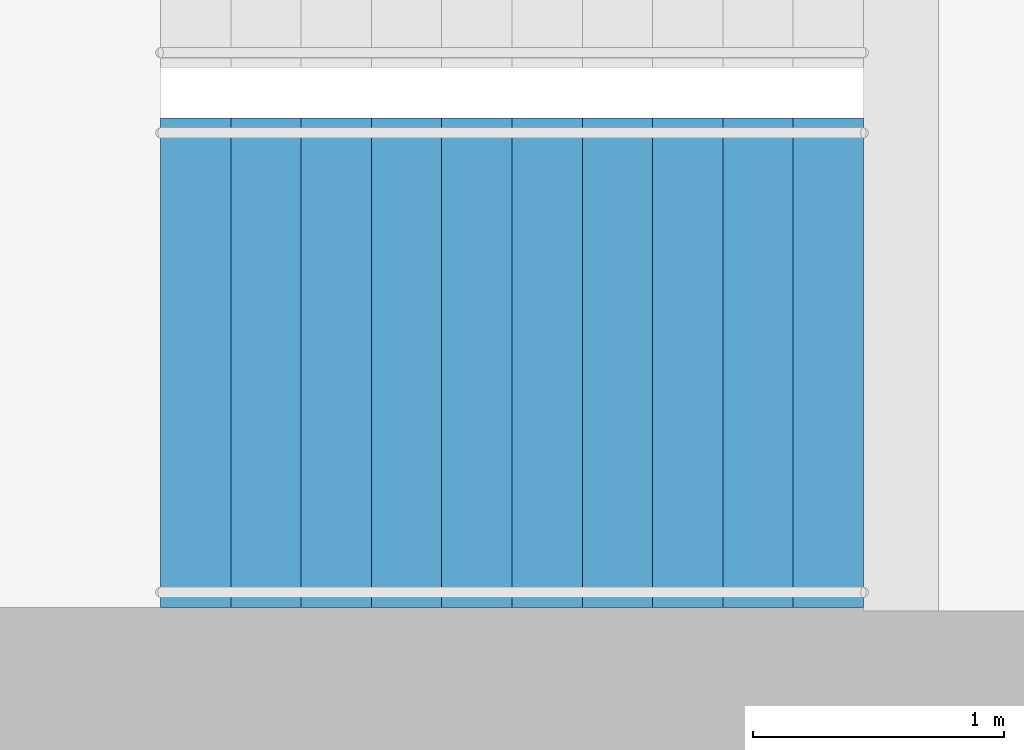
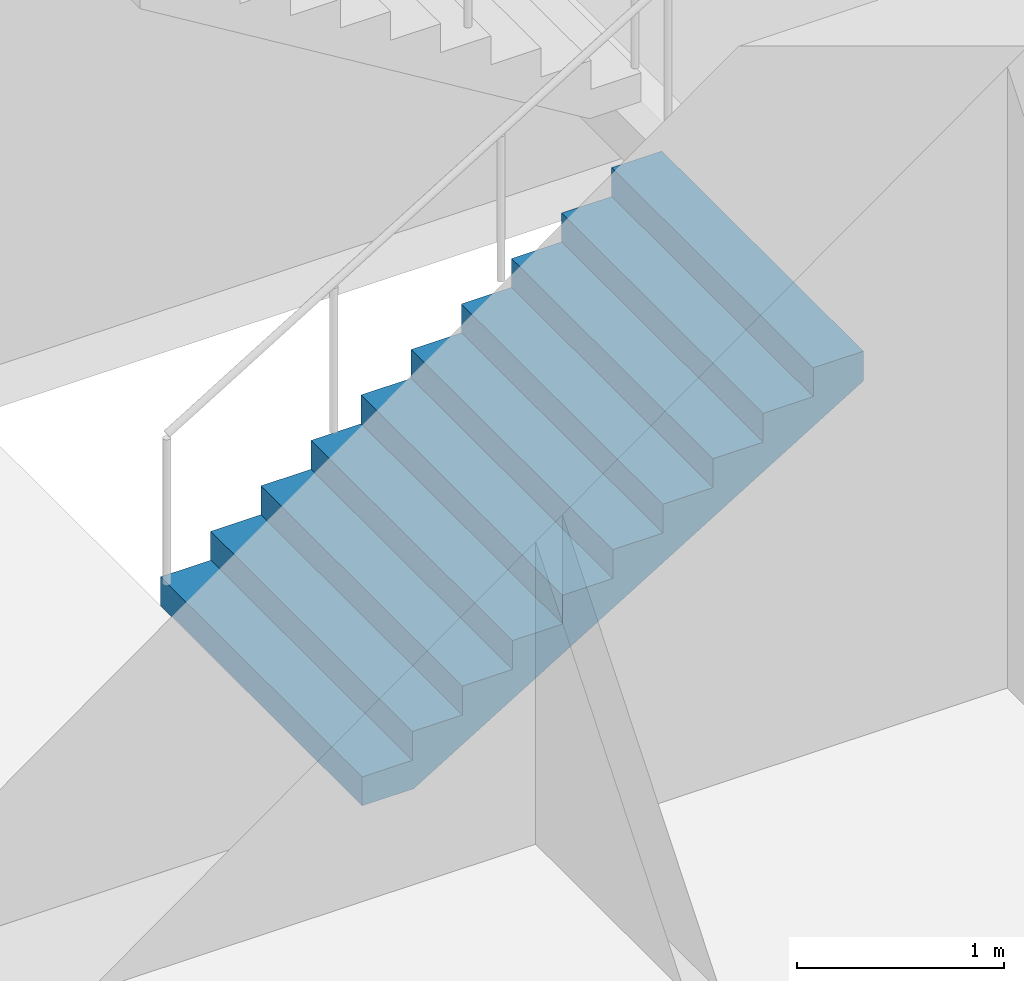
# One storey, part 19 of 23: 1 stair flight, 1 element without a shape of its own.
"""IFC4 building model written with IfcOpenShell, lengths in metres."""

from ifc_helpers import new_model, si_unit, direction, frame, origin, place, context, subcontext, project, spatial, triangles, material, type_object, element, aggregate, save


model = new_model("IFC4")

# Units and contexts
model_context = context("Model", 3, precision=1e-05, world=origin(), true_north=direction((0.0, 1.0)))
body_context = subcontext(model_context, "Body", "Model", "MODEL_VIEW")
ifc_project = project(units=[si_unit("LENGTHUNIT", "METRE"), si_unit("AREAUNIT", "SQUARE_METRE"), si_unit("VOLUMEUNIT", "CUBIC_METRE"), si_unit("PLANEANGLEUNIT", "RADIAN"), si_unit("MASSUNIT", "GRAM", prefix="KILO")], contexts=[model_context])

# Site, building, storey
site_placement = place(None, origin())
site = spatial("IfcSite", under=ifc_project, at=site_placement, CompositionType="ELEMENT")
building_placement = place(site_placement, origin())
building = spatial("IfcBuilding", under=site, at=building_placement, Name="Orbita Commons", CompositionType="ELEMENT")
storey_placement = place(building_placement, frame((0.0, 0.0, 212.800048828125)))
storey = spatial("IfcBuildingStorey", under=building, at=storey_placement, Name="L52", CompositionType="ELEMENT", Elevation=212.800048828125)

# Stair, stair flight
ifc_material_1 = material(Name="Precast concrete C40/50", Category="concrete")
stair_type = type_object("IfcStairType", Name="Exit stair S1 2 flights 11 risers 170", PredefinedType="HALF_TURN_STAIR", material=ifc_material_1)
stair_placement = place(storey_placement, origin())
stair = element("IfcStair", 1, at=stair_placement, inside=storey, type_object=stair_type, Name="Exit stair S1 L52", PredefinedType="HALF_TURN_STAIR")
ifc_material_2 = material(Name="Precast concrete C40/50", Category="concrete")
stair_flight_type = type_object("IfcStairFlightType", Name="Stair flight 11 risers 170 x 280", PredefinedType="STRAIGHT", material=ifc_material_2)
stair_flight_placement = place(storey_placement, frame((20.449951171875, 27.125, 0.0), z_axis=(0.0, 0.0, 1.0), x_axis=(1.0, 0.0, 0.0)))
stair_flight = element("IfcStairFlight", 2, at=stair_flight_placement, type_object=stair_flight_type, Name="S1 flight 1", NumberOfRisers=11, NumberOfTreads=10, PredefinedType="STRAIGHT", RiserHeight=0.170454545, TreadLength=0.28, context=body_context, shape_type="Tessellation", body=[
    triangles([(0.0, 0.974976, 0.0), (0.0, 0.974976, 0.021307), (0.0, 0.81248, 0.021307), (0.0, 0.81248, 0.0), (0.0, 0.649984, 0.021307), (0.0, 0.649984, 0.0), (0.0, 0.487488, 0.021307), (0.0, 0.487488, 0.0), (0.0, 0.324992, 0.021307), (0.0, 0.324992, 0.0), (0.0, 0.162496, 0.021307), (0.0, 0.162496, 0.0), (0.0, 0.0, 0.021307), (0.0, 0.0, 0.0), (0.0, -0.162496, 0.021307), (0.0, -0.162496, 0.0), (0.0, -0.324992, 0.021307), (0.0, -0.324992, 0.0), (0.0, -0.487488, 0.021307), (0.0, -0.487488, 0.0), (0.0, -0.649984, 0.021307), (0.0, -0.649984, 0.0), (0.0, -0.81248, 0.021307), (0.0, -0.81248, 0.0), (0.0, -0.974976, 0.021307), (0.0, -0.974976, 0.0), (0.0, 0.974976, 0.042614), (0.0, 0.81248, 0.042614), (0.0, 0.649984, 0.042614), (0.0, 0.487488, 0.042614), (0.0, 0.324992, 0.042614), (0.0, 0.162496, 0.042614), (0.0, 0.0, 0.042614), (0.0, -0.162496, 0.042614), (0.0, -0.324992, 0.042614), (0.0, -0.487488, 0.042614), (0.0, -0.649984, 0.042614), (0.0, -0.81248, 0.042614), (0.0, -0.974976, 0.042614), (0.0, 0.974976, 0.06392), (0.0, 0.81248, 0.06392), (0.0, 0.649984, 0.06392), (0.0, 0.487488, 0.06392), (0.0, 0.324992, 0.06392), (0.0, 0.162496, 0.06392), (0.0, 0.0, 0.06392), (0.0, -0.162496, 0.06392), (0.0, -0.324992, 0.06392), (0.0, -0.487488, 0.06392), (0.0, -0.649984, 0.06392), (0.0, -0.81248, 0.06392), (0.0, -0.974976, 0.06392), (0.0, 0.974976, 0.085227), (0.0, 0.81248, 0.085227), (0.0, 0.649984, 0.085227), (0.0, 0.487488, 0.085227), (0.0, 0.324992, 0.085227), (0.0, 0.162496, 0.085227), (0.0, 0.0, 0.085227), (0.0, -0.162496, 0.085227), (0.0, -0.324992, 0.085227), (0.0, -0.487488, 0.085227), (0.0, -0.649984, 0.085227), (0.0, -0.81248, 0.085227), (0.0, -0.974976, 0.085227), (0.0, 0.974976, 0.106534), (0.0, 0.81248, 0.106534), (0.0, 0.649984, 0.106534), (0.0, 0.487488, 0.106534), (0.0, 0.324992, 0.106534), (0.0, 0.162496, 0.106534), (0.0, 0.0, 0.106534), (0.0, -0.162496, 0.106534), (0.0, -0.324992, 0.106534), (0.0, -0.487488, 0.106534), (0.0, -0.649984, 0.106534), (0.0, -0.81248, 0.106534), (0.0, -0.974976, 0.106534), (0.0, 0.974976, 0.127841), (0.0, 0.81248, 0.127841), (0.0, 0.649984, 0.127841), (0.0, 0.487488, 0.127841), (0.0, 0.324992, 0.127841), (0.0, 0.162496, 0.127841), (0.0, 0.0, 0.127841), (0.0, -0.162496, 0.127841), (0.0, -0.324992, 0.127841), (0.0, -0.487488, 0.127841), (0.0, -0.649984, 0.127841), (0.0, -0.81248, 0.127841), (0.0, -0.974976, 0.127841), (0.0, 0.974976, 0.149148), (0.0, 0.81248, 0.149148), (0.0, 0.649984, 0.149148), (0.0, 0.487488, 0.149148), (0.0, 0.324992, 0.149148), (0.0, 0.162496, 0.149148), (0.0, 0.0, 0.149148), (0.0, -0.162496, 0.149148), (0.0, -0.324992, 0.149148), (0.0, -0.487488, 0.149148), (0.0, -0.649984, 0.149148), (0.0, -0.81248, 0.149148), (0.0, -0.974976, 0.149148), (0.0, 0.974976, 0.170455), (0.0, 0.81248, 0.170455), (0.0, 0.649984, 0.170455), (0.0, 0.487488, 0.170455), (0.0, 0.324992, 0.170455), (0.0, 0.162496, 0.170455), (0.0, 0.0, 0.170455), (0.0, -0.162496, 0.170455), (0.0, -0.324992, 0.170455), (0.0, -0.487488, 0.170455), (0.0, -0.649984, 0.170455), (0.0, -0.81248, 0.170455), (0.0, -0.974976, 0.170455), (0.28, 0.974976, 0.170455), (0.28, 0.81248, 0.170455), (0.28, 0.649984, 0.170455), (0.28, 0.487488, 0.170455), (0.28, 0.324992, 0.170455), (0.28, 0.162496, 0.170455), (0.28, 0.0, 0.170455), (0.28, -0.162496, 0.170455), (0.28, -0.324992, 0.170455), (0.28, -0.487488, 0.170455), (0.28, -0.649984, 0.170455), (0.28, -0.81248, 0.170455), (0.28, -0.974976, 0.170455), (0.28, 0.974976, 0.340909), (0.28, 0.81248, 0.340909), (0.28, 0.649984, 0.340909), (0.28, 0.487488, 0.340909), (0.28, 0.324992, 0.340909), (0.28, 0.162496, 0.340909), (0.28, 0.0, 0.340909), (0.28, -0.162496, 0.340909), (0.28, -0.324992, 0.340909), (0.28, -0.487488, 0.340909), (0.28, -0.649984, 0.340909), (0.28, -0.81248, 0.340909), (0.28, -0.974976, 0.340909), (0.56, 0.974976, 0.340909), (0.56, 0.81248, 0.340909), (0.56, 0.649984, 0.340909), (0.56, 0.487488, 0.340909), (0.56, 0.324992, 0.340909), (0.56, 0.162496, 0.340909), (0.56, 0.0, 0.340909), (0.56, -0.162496, 0.340909), (0.56, -0.324992, 0.340909), (0.56, -0.487488, 0.340909), (0.56, -0.649984, 0.340909), (0.56, -0.81248, 0.340909), (0.56, -0.974976, 0.340909), (0.56, 0.974976, 0.511364), (0.56, 0.81248, 0.511364), (0.56, 0.649984, 0.511364), (0.56, 0.487488, 0.511364), (0.56, 0.324992, 0.511364), (0.56, 0.162496, 0.511364), (0.56, 0.0, 0.511364), (0.56, -0.162496, 0.511364), (0.56, -0.324992, 0.511364), (0.56, -0.487488, 0.511364), (0.56, -0.649984, 0.511364), (0.56, -0.81248, 0.511364), (0.56, -0.974976, 0.511364), (0.84, 0.974976, 0.511364), (0.84, 0.81248, 0.511364), (0.84, 0.649984, 0.511364), (0.84, 0.487488, 0.511364), (0.84, 0.324992, 0.511364), (0.84, 0.162496, 0.511364), (0.84, 0.0, 0.511364), (0.84, -0.162496, 0.511364), (0.84, -0.324992, 0.511364), (0.84, -0.487488, 0.511364), (0.84, -0.649984, 0.511364), (0.84, -0.81248, 0.511364), (0.84, -0.974976, 0.511364), (0.84, 0.974976, 0.681818), (0.84, 0.81248, 0.681818), (0.84, 0.649984, 0.681818), (0.84, 0.487488, 0.681818), (0.84, 0.324992, 0.681818), (0.84, 0.162496, 0.681818), (0.84, 0.0, 0.681818), (0.84, -0.162496, 0.681818), (0.84, -0.324992, 0.681818), (0.84, -0.487488, 0.681818), (0.84, -0.649984, 0.681818), (0.84, -0.81248, 0.681818), (0.84, -0.974976, 0.681818), (1.12, 0.974976, 0.681818), (1.12, 0.81248, 0.681818), (1.12, 0.649984, 0.681818), (1.12, 0.487488, 0.681818), (1.12, 0.324992, 0.681818), (1.12, 0.162496, 0.681818), (1.12, 0.0, 0.681818), (1.12, -0.162496, 0.681818), (1.12, -0.324992, 0.681818), (1.12, -0.487488, 0.681818), (1.12, -0.649984, 0.681818), (1.12, -0.81248, 0.681818), (1.12, -0.974976, 0.681818), (1.12, 0.974976, 0.852273), (1.12, 0.81248, 0.852273), (1.12, 0.649984, 0.852273), (1.12, 0.487488, 0.852273), (1.12, 0.324992, 0.852273), (1.12, 0.162496, 0.852273), (1.12, 0.0, 0.852273), (1.12, -0.162496, 0.852273), (1.12, -0.324992, 0.852273), (1.12, -0.487488, 0.852273), (1.12, -0.649984, 0.852273), (1.12, -0.81248, 0.852273), (1.12, -0.974976, 0.852273), (1.4, 0.974976, 0.852273), (1.4, 0.81248, 0.852273), (1.4, 0.649984, 0.852273), (1.4, 0.487488, 0.852273), (1.4, 0.324992, 0.852273), (1.4, 0.162496, 0.852273), (1.4, 0.0, 0.852273), (1.4, -0.162496, 0.852273), (1.4, -0.324992, 0.852273), (1.4, -0.487488, 0.852273), (1.4, -0.649984, 0.852273), (1.4, -0.81248, 0.852273), (1.4, -0.974976, 0.852273), (1.4, 0.974976, 1.022727), (1.4, 0.81248, 1.022727), (1.4, 0.649984, 1.022727), (1.4, 0.487488, 1.022727), (1.4, 0.324992, 1.022727), (1.4, 0.162496, 1.022727), (1.4, 0.0, 1.022727), (1.4, -0.162496, 1.022727), (1.4, -0.324992, 1.022727), (1.4, -0.487488, 1.022727), (1.4, -0.649984, 1.022727), (1.4, -0.81248, 1.022727), (1.4, -0.974976, 1.022727), (1.68, 0.974976, 1.022727), (1.68, 0.81248, 1.022727), (1.68, 0.649984, 1.022727), (1.68, 0.487488, 1.022727), (1.68, 0.324992, 1.022727), (1.68, 0.162496, 1.022727), (1.68, 0.0, 1.022727), (1.68, -0.162496, 1.022727), (1.68, -0.324992, 1.022727), (1.68, -0.487488, 1.022727), (1.68, -0.649984, 1.022727), (1.68, -0.81248, 1.022727), (1.68, -0.974976, 1.022727), (1.68, 0.974976, 1.193182), (1.68, 0.81248, 1.193182), (1.68, 0.649984, 1.193182), (1.68, 0.487488, 1.193182), (1.68, 0.324992, 1.193182), (1.68, 0.162496, 1.193182), (1.68, 0.0, 1.193182), (1.68, -0.162496, 1.193182), (1.68, -0.324992, 1.193182), (1.68, -0.487488, 1.193182), (1.68, -0.649984, 1.193182), (1.68, -0.81248, 1.193182), (1.68, -0.974976, 1.193182), (1.96, 0.974976, 1.193182), (1.96, 0.81248, 1.193182), (1.96, 0.649984, 1.193182), (1.96, 0.487488, 1.193182), (1.96, 0.324992, 1.193182), (1.96, 0.162496, 1.193182), (1.96, 0.0, 1.193182), (1.96, -0.162496, 1.193182), (1.96, -0.324992, 1.193182), (1.96, -0.487488, 1.193182), (1.96, -0.649984, 1.193182), (1.96, -0.81248, 1.193182), (1.96, -0.974976, 1.193182), (1.96, 0.974976, 1.363636), (1.96, 0.81248, 1.363636), (1.96, 0.649984, 1.363636), (1.96, 0.487488, 1.363636), (1.96, 0.324992, 1.363636), (1.96, 0.162496, 1.363636), (1.96, 0.0, 1.363636), (1.96, -0.162496, 1.363636), (1.96, -0.324992, 1.363636), (1.96, -0.487488, 1.363636), (1.96, -0.649984, 1.363636), (1.96, -0.81248, 1.363636), (1.96, -0.974976, 1.363636), (2.24, 0.974976, 1.363636), (2.24, 0.81248, 1.363636), (2.24, 0.649984, 1.363636), (2.24, 0.487488, 1.363636), (2.24, 0.324992, 1.363636), (2.24, 0.162496, 1.363636), (2.24, 0.0, 1.363636), (2.24, -0.162496, 1.363636), (2.24, -0.324992, 1.363636), (2.24, -0.487488, 1.363636), (2.24, -0.649984, 1.363636), (2.24, -0.81248, 1.363636), (2.24, -0.974976, 1.363636), (2.24, 0.974976, 1.534091), (2.24, 0.81248, 1.534091), (2.24, 0.649984, 1.534091), (2.24, 0.487488, 1.534091), (2.24, 0.324992, 1.534091), (2.24, 0.162496, 1.534091), (2.24, 0.0, 1.534091), (2.24, -0.162496, 1.534091), (2.24, -0.324992, 1.534091), (2.24, -0.487488, 1.534091), (2.24, -0.649984, 1.534091), (2.24, -0.81248, 1.534091), (2.24, -0.974976, 1.534091), (2.52, 0.974976, 1.534091), (2.52, 0.81248, 1.534091), (2.52, 0.649984, 1.534091), (2.52, 0.487488, 1.534091), (2.52, 0.324992, 1.534091), (2.52, 0.162496, 1.534091), (2.52, 0.0, 1.534091), (2.52, -0.162496, 1.534091), (2.52, -0.324992, 1.534091), (2.52, -0.487488, 1.534091), (2.52, -0.649984, 1.534091), (2.52, -0.81248, 1.534091), (2.52, -0.974976, 1.534091), (2.52, 0.974976, 1.704545), (2.52, 0.81248, 1.704545), (2.52, 0.649984, 1.704545), (2.52, 0.487488, 1.704545), (2.52, 0.324992, 1.704545), (2.52, 0.162496, 1.704545), (2.52, 0.0, 1.704545), (2.52, -0.162496, 1.704545), (2.52, -0.324992, 1.704545), (2.52, -0.487488, 1.704545), (2.52, -0.649984, 1.704545), (2.52, -0.81248, 1.704545), (2.52, -0.974976, 1.704545), (2.8, 0.974976, 1.704545), (2.8, 0.81248, 1.704545), (2.8, 0.649984, 1.704545), (2.8, 0.487488, 1.704545), (2.8, 0.324992, 1.704545), (2.8, 0.162496, 1.704545), (2.8, 0.0, 1.704545), (2.8, -0.162496, 1.704545), (2.8, -0.324992, 1.704545), (2.8, -0.487488, 1.704545), (2.8, -0.649984, 1.704545), (2.8, -0.81248, 1.704545), (2.8, -0.974976, 1.704545), (2.8, 0.974976, 1.682609), (2.8, 0.81248, 1.682609), (2.8, 0.649984, 1.682609), (2.8, 0.487488, 1.682609), (2.8, 0.324992, 1.682609), (2.8, 0.162496, 1.682609), (2.8, 0.0, 1.682609), (2.8, -0.162496, 1.682609), (2.8, -0.324992, 1.682609), (2.8, -0.487488, 1.682609), (2.8, -0.649984, 1.682609), (2.8, -0.81248, 1.682609), (2.8, -0.974976, 1.682609), (2.8, 0.974976, 1.660672), (2.8, 0.81248, 1.660672), (2.8, 0.649984, 1.660672), (2.8, 0.487488, 1.660672), (2.8, 0.324992, 1.660672), (2.8, 0.162496, 1.660672), (2.8, 0.0, 1.660672), (2.8, -0.162496, 1.660672), (2.8, -0.324992, 1.660672), (2.8, -0.487488, 1.660672), (2.8, -0.649984, 1.660672), (2.8, -0.81248, 1.660672), (2.8, -0.974976, 1.660672), (2.8, 0.974976, 1.638735), (2.8, 0.81248, 1.638735), (2.8, 0.649984, 1.638735), (2.8, 0.487488, 1.638735), (2.8, 0.324992, 1.638735), (2.8, 0.162496, 1.638735), (2.8, 0.0, 1.638735), (2.8, -0.162496, 1.638735), (2.8, -0.324992, 1.638735), (2.8, -0.487488, 1.638735), (2.8, -0.649984, 1.638735), (2.8, -0.81248, 1.638735), (2.8, -0.974976, 1.638735), (2.8, 0.974976, 1.616798), (2.8, 0.81248, 1.616798), (2.8, 0.649984, 1.616798), (2.8, 0.487488, 1.616798), (2.8, 0.324992, 1.616798), (2.8, 0.162496, 1.616798), (2.8, 0.0, 1.616798), (2.8, -0.162496, 1.616798), (2.8, -0.324992, 1.616798), (2.8, -0.487488, 1.616798), (2.8, -0.649984, 1.616798), (2.8, -0.81248, 1.616798), (2.8, -0.974976, 1.616798), (2.8, 0.974976, 1.594861), (2.8, 0.81248, 1.594861), (2.8, 0.649984, 1.594861), (2.8, 0.487488, 1.594861), (2.8, 0.324992, 1.594861), (2.8, 0.162496, 1.594861), (2.8, 0.0, 1.594861), (2.8, -0.162496, 1.594861), (2.8, -0.324992, 1.594861), (2.8, -0.487488, 1.594861), (2.8, -0.649984, 1.594861), (2.8, -0.81248, 1.594861), (2.8, -0.974976, 1.594861), (2.8, 0.974976, 1.572925), (2.8, 0.81248, 1.572925), (2.8, 0.649984, 1.572925), (2.8, 0.487488, 1.572925), (2.8, 0.324992, 1.572925), (2.8, 0.162496, 1.572925), (2.8, 0.0, 1.572925), (2.8, -0.162496, 1.572925), (2.8, -0.324992, 1.572925), (2.8, -0.487488, 1.572925), (2.8, -0.649984, 1.572925), (2.8, -0.81248, 1.572925), (2.8, -0.974976, 1.572925), (2.8, 0.974976, 1.550988), (2.8, 0.81248, 1.550988), (2.8, 0.649984, 1.550988), (2.8, 0.487488, 1.550988), (2.8, 0.324992, 1.550988), (2.8, 0.162496, 1.550988), (2.8, 0.0, 1.550988), (2.8, -0.162496, 1.550988), (2.8, -0.324992, 1.550988), (2.8, -0.487488, 1.550988), (2.8, -0.649984, 1.550988), (2.8, -0.81248, 1.550988), (2.8, -0.974976, 1.550988), (2.8, 0.974976, 1.529051), (2.8, 0.81248, 1.529051), (2.8, 0.649984, 1.529051), (2.8, 0.487488, 1.529051), (2.8, 0.324992, 1.529051), (2.8, 0.162496, 1.529051), (2.8, 0.0, 1.529051), (2.8, -0.162496, 1.529051), (2.8, -0.324992, 1.529051), (2.8, -0.487488, 1.529051), (2.8, -0.649984, 1.529051), (2.8, -0.81248, 1.529051), (2.8, -0.974976, 1.529051), (0.288279, 0.974976, 0.0), (0.288279, 0.81248, 0.0), (0.288279, 0.649984, 0.0), (0.288279, 0.487488, 0.0), (0.288279, 0.324992, 0.0), (0.288279, 0.162496, 0.0), (0.288279, 0.0, 0.0), (0.288279, -0.162496, 0.0), (0.288279, -0.324992, 0.0), (0.288279, -0.487488, 0.0), (0.288279, -0.649984, 0.0), (0.288279, -0.81248, 0.0), (0.288279, -0.974976, 0.0)], [[3, 2, 1], [4, 3, 1], [5, 3, 4], [6, 5, 4], [7, 5, 6], [8, 7, 6], [9, 7, 8], [10, 9, 8], [11, 9, 10], [12, 11, 10], [13, 11, 12], [14, 13, 12], [15, 13, 14], [16, 15, 14], [17, 15, 16], [18, 17, 16], [19, 17, 18], [20, 19, 18], [21, 19, 20], [22, 21, 20], [23, 21, 22], [24, 23, 22], [25, 23, 24], [26, 25, 24], [28, 27, 2], [3, 28, 2], [29, 28, 3], [5, 29, 3], [30, 29, 5], [7, 30, 5], [31, 30, 7], [9, 31, 7], [32, 31, 9], [11, 32, 9], [33, 32, 11], [13, 33, 11], [34, 33, 13], [15, 34, 13], [35, 34, 15], [17, 35, 15], [36, 35, 17], [19, 36, 17], [37, 36, 19], [21, 37, 19], [38, 37, 21], [23, 38, 21], [39, 38, 23], [25, 39, 23], [41, 40, 27], [28, 41, 27], [42, 41, 28], [29, 42, 28], [43, 42, 29], [30, 43, 29], [44, 43, 30], [31, 44, 30], [45, 44, 31], [32, 45, 31], [46, 45, 32], [33, 46, 32], [47, 46, 33], [34, 47, 33], [48, 47, 34], [35, 48, 34], [49, 48, 35], [36, 49, 35], [50, 49, 36], [37, 50, 36], [51, 50, 37], [38, 51, 37], [52, 51, 38], [39, 52, 38], [54, 53, 40], [41, 54, 40], [55, 54, 41], [42, 55, 41], [56, 55, 42], [43, 56, 42], [57, 56, 43], [44, 57, 43], [58, 57, 44], [45, 58, 44], [59, 58, 45], [46, 59, 45], [60, 59, 46], [47, 60, 46], [61, 60, 47], [48, 61, 47], [62, 61, 48], [49, 62, 48], [63, 62, 49], [50, 63, 49], [64, 63, 50], [51, 64, 50], [65, 64, 51], [52, 65, 51], [67, 66, 53], [54, 67, 53], [68, 67, 54], [55, 68, 54], [69, 68, 55], [56, 69, 55], [70, 69, 56], [57, 70, 56], [71, 70, 57], [58, 71, 57], [72, 71, 58], [59, 72, 58], [73, 72, 59], [60, 73, 59], [74, 73, 60], [61, 74, 60], [75, 74, 61], [62, 75, 61], [76, 75, 62], [63, 76, 62], [77, 76, 63], [64, 77, 63], [78, 77, 64], [65, 78, 64], [80, 79, 66], [67, 80, 66], [81, 80, 67], [68, 81, 67], [82, 81, 68], [69, 82, 68], [83, 82, 69], [70, 83, 69], [84, 83, 70], [71, 84, 70], [85, 84, 71], [72, 85, 71], [86, 85, 72], [73, 86, 72], [87, 86, 73], [74, 87, 73], [88, 87, 74], [75, 88, 74], [89, 88, 75], [76, 89, 75], [90, 89, 76], [77, 90, 76], [91, 90, 77], [78, 91, 77], [93, 92, 79], [80, 93, 79], [94, 93, 80], [81, 94, 80], [95, 94, 81], [82, 95, 81], [96, 95, 82], [83, 96, 82], [97, 96, 83], [84, 97, 83], [98, 97, 84], [85, 98, 84], [99, 98, 85], [86, 99, 85], [100, 99, 86], [87, 100, 86], [101, 100, 87], [88, 101, 87], [102, 101, 88], [89, 102, 88], [103, 102, 89], [90, 103, 89], [104, 103, 90], [91, 104, 90], [106, 105, 92], [93, 106, 92], [107, 106, 93], [94, 107, 93], [108, 107, 94], [95, 108, 94], [109, 108, 95], [96, 109, 95], [110, 109, 96], [97, 110, 96], [111, 110, 97], [98, 111, 97], [112, 111, 98], [99, 112, 98], [113, 112, 99], [100, 113, 99], [114, 113, 100], [101, 114, 100], [115, 114, 101], [102, 115, 101], [116, 115, 102], [103, 116, 102], [117, 116, 103], [104, 117, 103], [119, 118, 105], [106, 119, 105], [120, 119, 106], [107, 120, 106], [121, 120, 107], [108, 121, 107], [122, 121, 108], [109, 122, 108], [123, 122, 109], [110, 123, 109], [124, 123, 110], [111, 124, 110], [125, 124, 111], [112, 125, 111], [126, 125, 112], [113, 126, 112], [127, 126, 113], [114, 127, 113], [128, 127, 114], [115, 128, 114], [129, 128, 115], [116, 129, 115], [130, 129, 116], [117, 130, 116], [132, 131, 118], [119, 132, 118], [133, 132, 119], [120, 133, 119], [134, 133, 120], [121, 134, 120], [135, 134, 121], [122, 135, 121], [136, 135, 122], [123, 136, 122], [137, 136, 123], [124, 137, 123], [138, 137, 124], [125, 138, 124], [139, 138, 125], [126, 139, 125], [140, 139, 126], [127, 140, 126], [141, 140, 127], [128, 141, 127], [142, 141, 128], [129, 142, 128], [143, 142, 129], [130, 143, 129], [145, 144, 131], [132, 145, 131], [146, 145, 132], [133, 146, 132], [147, 146, 133], [134, 147, 133], [148, 147, 134], [135, 148, 134], [149, 148, 135], [136, 149, 135], [150, 149, 136], [137, 150, 136], [151, 150, 137], [138, 151, 137], [152, 151, 138], [139, 152, 138], [153, 152, 139], [140, 153, 139], [154, 153, 140], [141, 154, 140], [155, 154, 141], [142, 155, 141], [156, 155, 142], [143, 156, 142], [158, 157, 144], [145, 158, 144], [159, 158, 145], [146, 159, 145], [160, 159, 146], [147, 160, 146], [161, 160, 147], [148, 161, 147], [162, 161, 148], [149, 162, 148], [163, 162, 149], [150, 163, 149], [164, 163, 150], [151, 164, 150], [165, 164, 151], [152, 165, 151], [166, 165, 152], [153, 166, 152], [167, 166, 153], [154, 167, 153], [168, 167, 154], [155, 168, 154], [169, 168, 155], [156, 169, 155], [171, 170, 157], [158, 171, 157], [172, 171, 158], [159, 172, 158], [173, 172, 159], [160, 173, 159], [174, 173, 160], [161, 174, 160], [175, 174, 161], [162, 175, 161], [176, 175, 162], [163, 176, 162], [177, 176, 163], [164, 177, 163], [178, 177, 164], [165, 178, 164], [179, 178, 165], [166, 179, 165], [180, 179, 166], [167, 180, 166], [181, 180, 167], [168, 181, 167], [182, 181, 168], [169, 182, 168], [184, 183, 170], [171, 184, 170], [185, 184, 171], [172, 185, 171], [186, 185, 172], [173, 186, 172], [187, 186, 173], [174, 187, 173], [188, 187, 174], [175, 188, 174], [189, 188, 175], [176, 189, 175], [190, 189, 176], [177, 190, 176], [191, 190, 177], [178, 191, 177], [192, 191, 178], [179, 192, 178], [193, 192, 179], [180, 193, 179], [194, 193, 180], [181, 194, 180], [195, 194, 181], [182, 195, 181], [197, 196, 183], [184, 197, 183], [198, 197, 184], [185, 198, 184], [199, 198, 185], [186, 199, 185], [200, 199, 186], [187, 200, 186], [201, 200, 187], [188, 201, 187], [202, 201, 188], [189, 202, 188], [203, 202, 189], [190, 203, 189], [204, 203, 190], [191, 204, 190], [205, 204, 191], [192, 205, 191], [206, 205, 192], [193, 206, 192], [207, 206, 193], [194, 207, 193], [208, 207, 194], [195, 208, 194], [210, 209, 196], [197, 210, 196], [211, 210, 197], [198, 211, 197], [212, 211, 198], [199, 212, 198], [213, 212, 199], [200, 213, 199], [214, 213, 200], [201, 214, 200], [215, 214, 201], [202, 215, 201], [216, 215, 202], [203, 216, 202], [217, 216, 203], [204, 217, 203], [218, 217, 204], [205, 218, 204], [219, 218, 205], [206, 219, 205], [220, 219, 206], [207, 220, 206], [221, 220, 207], [208, 221, 207], [223, 222, 209], [210, 223, 209], [224, 223, 210], [211, 224, 210], [225, 224, 211], [212, 225, 211], [226, 225, 212], [213, 226, 212], [227, 226, 213], [214, 227, 213], [228, 227, 214], [215, 228, 214], [229, 228, 215], [216, 229, 215], [230, 229, 216], [217, 230, 216], [231, 230, 217], [218, 231, 217], [232, 231, 218], [219, 232, 218], [233, 232, 219], [220, 233, 219], [234, 233, 220], [221, 234, 220], [236, 235, 222], [223, 236, 222], [237, 236, 223], [224, 237, 223], [238, 237, 224], [225, 238, 224], [239, 238, 225], [226, 239, 225], [240, 239, 226], [227, 240, 226], [241, 240, 227], [228, 241, 227], [242, 241, 228], [229, 242, 228], [243, 242, 229], [230, 243, 229], [244, 243, 230], [231, 244, 230], [245, 244, 231], [232, 245, 231], [246, 245, 232], [233, 246, 232], [247, 246, 233], [234, 247, 233], [249, 248, 235], [236, 249, 235], [250, 249, 236], [237, 250, 236], [251, 250, 237], [238, 251, 237], [252, 251, 238], [239, 252, 238], [253, 252, 239], [240, 253, 239], [254, 253, 240], [241, 254, 240], [255, 254, 241], [242, 255, 241], [256, 255, 242], [243, 256, 242], [257, 256, 243], [244, 257, 243], [258, 257, 244], [245, 258, 244], [259, 258, 245], [246, 259, 245], [260, 259, 246], [247, 260, 246], [262, 261, 248], [249, 262, 248], [263, 262, 249], [250, 263, 249], [264, 263, 250], [251, 264, 250], [265, 264, 251], [252, 265, 251], [266, 265, 252], [253, 266, 252], [267, 266, 253], [254, 267, 253], [268, 267, 254], [255, 268, 254], [269, 268, 255], [256, 269, 255], [270, 269, 256], [257, 270, 256], [271, 270, 257], [258, 271, 257], [272, 271, 258], [259, 272, 258], [273, 272, 259], [260, 273, 259], [275, 274, 261], [262, 275, 261], [276, 275, 262], [263, 276, 262], [277, 276, 263], [264, 277, 263], [278, 277, 264], [265, 278, 264], [279, 278, 265], [266, 279, 265], [280, 279, 266], [267, 280, 266], [281, 280, 267], [268, 281, 267], [282, 281, 268], [269, 282, 268], [283, 282, 269], [270, 283, 269], [284, 283, 270], [271, 284, 270], [285, 284, 271], [272, 285, 271], [286, 285, 272], [273, 286, 272], [288, 287, 274], [275, 288, 274], [289, 288, 275], [276, 289, 275], [290, 289, 276], [277, 290, 276], [291, 290, 277], [278, 291, 277], [292, 291, 278], [279, 292, 278], [293, 292, 279], [280, 293, 279], [294, 293, 280], [281, 294, 280], [295, 294, 281], [282, 295, 281], [296, 295, 282], [283, 296, 282], [297, 296, 283], [284, 297, 283], [298, 297, 284], [285, 298, 284], [299, 298, 285], [286, 299, 285], [301, 300, 287], [288, 301, 287], [302, 301, 288], [289, 302, 288], [303, 302, 289], [290, 303, 289], [304, 303, 290], [291, 304, 290], [305, 304, 291], [292, 305, 291], [306, 305, 292], [293, 306, 292], [307, 306, 293], [294, 307, 293], [308, 307, 294], [295, 308, 294], [309, 308, 295], [296, 309, 295], [310, 309, 296], [297, 310, 296], [311, 310, 297], [298, 311, 297], [312, 311, 298], [299, 312, 298], [314, 313, 300], [301, 314, 300], [315, 314, 301], [302, 315, 301], [316, 315, 302], [303, 316, 302], [317, 316, 303], [304, 317, 303], [318, 317, 304], [305, 318, 304], [319, 318, 305], [306, 319, 305], [320, 319, 306], [307, 320, 306], [321, 320, 307], [308, 321, 307], [322, 321, 308], [309, 322, 308], [323, 322, 309], [310, 323, 309], [324, 323, 310], [311, 324, 310], [325, 324, 311], [312, 325, 311], [327, 326, 313], [314, 327, 313], [328, 327, 314], [315, 328, 314], [329, 328, 315], [316, 329, 315], [330, 329, 316], [317, 330, 316], [331, 330, 317], [318, 331, 317], [332, 331, 318], [319, 332, 318], [333, 332, 319], [320, 333, 319], [334, 333, 320], [321, 334, 320], [335, 334, 321], [322, 335, 321], [336, 335, 322], [323, 336, 322], [337, 336, 323], [324, 337, 323], [338, 337, 324], [325, 338, 324], [340, 339, 326], [327, 340, 326], [341, 340, 327], [328, 341, 327], [342, 341, 328], [329, 342, 328], [343, 342, 329], [330, 343, 329], [344, 343, 330], [331, 344, 330], [345, 344, 331], [332, 345, 331], [346, 345, 332], [333, 346, 332], [347, 346, 333], [334, 347, 333], [348, 347, 334], [335, 348, 334], [349, 348, 335], [336, 349, 335], [350, 349, 336], [337, 350, 336], [351, 350, 337], [338, 351, 337], [353, 352, 339], [340, 353, 339], [354, 353, 340], [341, 354, 340], [355, 354, 341], [342, 355, 341], [356, 355, 342], [343, 356, 342], [357, 356, 343], [344, 357, 343], [358, 357, 344], [345, 358, 344], [359, 358, 345], [346, 359, 345], [360, 359, 346], [347, 360, 346], [361, 360, 347], [348, 361, 347], [362, 361, 348], [349, 362, 348], [363, 362, 349], [350, 363, 349], [364, 363, 350], [351, 364, 350], [366, 365, 352], [353, 366, 352], [367, 366, 353], [354, 367, 353], [368, 367, 354], [355, 368, 354], [369, 368, 355], [356, 369, 355], [370, 369, 356], [357, 370, 356], [371, 370, 357], [358, 371, 357], [372, 371, 358], [359, 372, 358], [373, 372, 359], [360, 373, 359], [374, 373, 360], [361, 374, 360], [375, 374, 361], [362, 375, 361], [376, 375, 362], [363, 376, 362], [377, 376, 363], [364, 377, 363], [379, 378, 365], [366, 379, 365], [380, 379, 366], [367, 380, 366], [381, 380, 367], [368, 381, 367], [382, 381, 368], [369, 382, 368], [383, 382, 369], [370, 383, 369], [384, 383, 370], [371, 384, 370], [385, 384, 371], [372, 385, 371], [386, 385, 372], [373, 386, 372], [387, 386, 373], [374, 387, 373], [388, 387, 374], [375, 388, 374], [389, 388, 375], [376, 389, 375], [390, 389, 376], [377, 390, 376], [392, 391, 378], [379, 392, 378], [393, 392, 379], [380, 393, 379], [394, 393, 380], [381, 394, 380], [395, 394, 381], [382, 395, 381], [396, 395, 382], [383, 396, 382], [397, 396, 383], [384, 397, 383], [398, 397, 384], [385, 398, 384], [399, 398, 385], [386, 399, 385], [400, 399, 386], [387, 400, 386], [401, 400, 387], [388, 401, 387], [402, 401, 388], [389, 402, 388], [403, 402, 389], [390, 403, 389], [405, 404, 391], [392, 405, 391], [406, 405, 392], [393, 406, 392], [407, 406, 393], [394, 407, 393], [408, 407, 394], [395, 408, 394], [409, 408, 395], [396, 409, 395], [410, 409, 396], [397, 410, 396], [411, 410, 397], [398, 411, 397], [412, 411, 398], [399, 412, 398], [413, 412, 399], [400, 413, 399], [414, 413, 400], [401, 414, 400], [415, 414, 401], [402, 415, 401], [416, 415, 402], [403, 416, 402], [418, 417, 404], [405, 418, 404], [419, 418, 405], [406, 419, 405], [420, 419, 406], [407, 420, 406], [421, 420, 407], [408, 421, 407], [422, 421, 408], [409, 422, 408], [423, 422, 409], [410, 423, 409], [424, 423, 410], [411, 424, 410], [425, 424, 411], [412, 425, 411], [426, 425, 412], [413, 426, 412], [427, 426, 413], [414, 427, 413], [428, 427, 414], [415, 428, 414], [429, 428, 415], [416, 429, 415], [431, 430, 417], [418, 431, 417], [432, 431, 418], [419, 432, 418], [433, 432, 419], [420, 433, 419], [434, 433, 420], [421, 434, 420], [435, 434, 421], [422, 435, 421], [436, 435, 422], [423, 436, 422], [437, 436, 423], [424, 437, 423], [438, 437, 424], [425, 438, 424], [439, 438, 425], [426, 439, 425], [440, 439, 426], [427, 440, 426], [441, 440, 427], [428, 441, 427], [442, 441, 428], [429, 442, 428], [444, 443, 430], [431, 444, 430], [445, 444, 431], [432, 445, 431], [446, 445, 432], [433, 446, 432], [447, 446, 433], [434, 447, 433], [448, 447, 434], [435, 448, 434], [449, 448, 435], [436, 449, 435], [450, 449, 436], [437, 450, 436], [451, 450, 437], [438, 451, 437], [452, 451, 438], [439, 452, 438], [453, 452, 439], [440, 453, 439], [454, 453, 440], [441, 454, 440], [455, 454, 441], [442, 455, 441], [457, 456, 443], [444, 457, 443], [458, 457, 444], [445, 458, 444], [459, 458, 445], [446, 459, 445], [460, 459, 446], [447, 460, 446], [461, 460, 447], [448, 461, 447], [462, 461, 448], [449, 462, 448], [463, 462, 449], [450, 463, 449], [464, 463, 450], [451, 464, 450], [465, 464, 451], [452, 465, 451], [466, 465, 452], [453, 466, 452], [467, 466, 453], [454, 467, 453], [468, 467, 454], [455, 468, 454], [470, 469, 456], [457, 470, 456], [471, 470, 457], [458, 471, 457], [472, 471, 458], [459, 472, 458], [473, 472, 459], [460, 473, 459], [474, 473, 460], [461, 474, 460], [475, 474, 461], [462, 475, 461], [476, 475, 462], [463, 476, 462], [477, 476, 463], [464, 477, 463], [478, 477, 464], [465, 478, 464], [479, 478, 465], [466, 479, 465], [480, 479, 466], [467, 480, 466], [481, 480, 467], [468, 481, 467], [4, 1, 469], [470, 4, 469], [6, 4, 470], [471, 6, 470], [8, 6, 471], [472, 8, 471], [10, 8, 472], [473, 10, 472], [12, 10, 473], [474, 12, 473], [14, 12, 474], [475, 14, 474], [16, 14, 475], [476, 16, 475], [18, 16, 476], [477, 18, 476], [20, 18, 477], [478, 20, 477], [22, 20, 478], [479, 22, 478], [24, 22, 479], [480, 24, 479], [26, 24, 480], [481, 26, 480], [456, 469, 1], [26, 481, 468], [443, 456, 1], [26, 468, 455], [430, 443, 1], [26, 455, 442], [417, 430, 1], [26, 442, 429], [404, 417, 1], [26, 429, 416], [391, 404, 1], [26, 416, 403], [378, 391, 1], [26, 403, 390], [365, 378, 1], [26, 390, 377], [339, 352, 365], [377, 364, 351], [326, 339, 365], [377, 351, 338], [300, 313, 326], [338, 325, 312], [300, 326, 365], [377, 338, 312], [274, 287, 300], [312, 299, 286], [274, 300, 365], [377, 312, 286], [248, 261, 274], [286, 273, 260], [248, 274, 365], [377, 286, 260], [222, 235, 248], [260, 247, 234], [222, 248, 365], [377, 260, 234], [196, 209, 222], [234, 221, 208], [196, 222, 365], [377, 234, 208], [170, 183, 196], [208, 195, 182], [170, 196, 365], [377, 208, 182], [144, 157, 170], [182, 169, 156], [144, 170, 365], [377, 182, 156], [118, 131, 144], [156, 143, 130], [118, 144, 365], [377, 156, 130], [118, 365, 1], [26, 377, 130], [92, 105, 118], [130, 117, 104], [79, 92, 118], [130, 104, 91], [66, 79, 118], [130, 91, 78], [53, 66, 118], [130, 78, 65], [40, 53, 118], [130, 65, 52], [27, 40, 118], [130, 52, 39], [2, 27, 118], [130, 39, 25], [1, 2, 118], [130, 25, 26]], closed=True),
])
aggregate(stair, [stair_flight])

save(model, "model.ifc")
